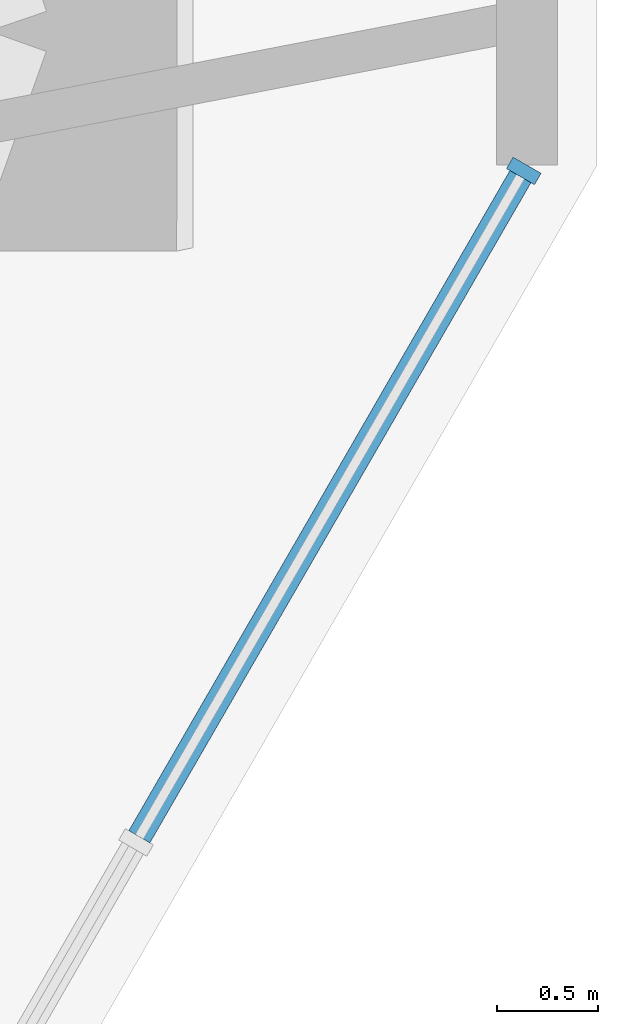
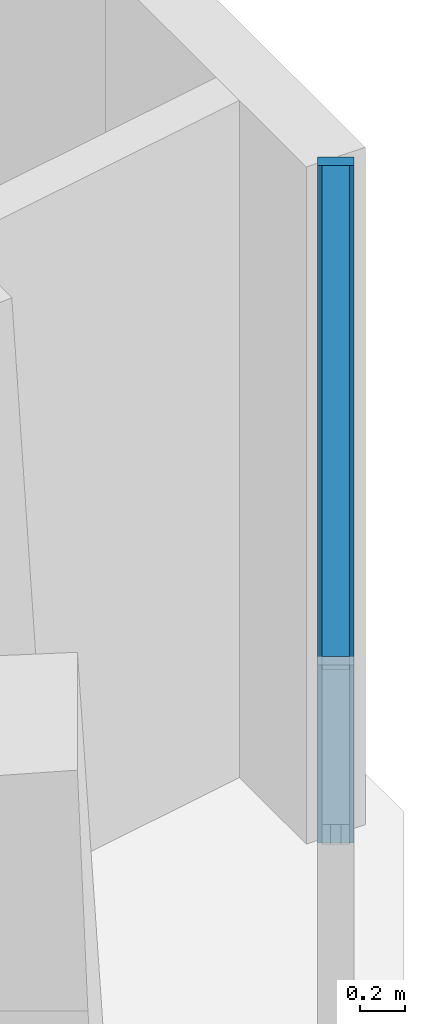
# One storey, part 6 of 17: 2 members, 1 element without a shape of its own.
"""IFC4 building model written with IfcOpenShell, lengths in metres."""

from ifc_helpers import new_model, si_unit, direction, frame, origin, origin_2d, place, context, subcontext, project, spatial, rectangle, extrude, material, material_profile, profile_set, type_object, element, aggregate, save


model = new_model("IFC4")

# Units and contexts
model_context = context("Model", 3, precision=1e-05, world=origin(), true_north=direction((0.0, 1.0)))
body_context = subcontext(model_context, "Body", "Model", "MODEL_VIEW")
ifc_project = project(units=[si_unit("LENGTHUNIT", "METRE"), si_unit("AREAUNIT", "SQUARE_METRE"), si_unit("VOLUMEUNIT", "CUBIC_METRE"), si_unit("PLANEANGLEUNIT", "RADIAN"), si_unit("MASSUNIT", "GRAM", prefix="KILO")], contexts=[model_context])

# Site, building, storey
site_placement = place(None, origin())
site = spatial("IfcSite", under=ifc_project, at=site_placement, CompositionType="ELEMENT")
building_placement = place(site_placement, origin())
building = spatial("IfcBuilding", under=site, at=building_placement, Name="Sandreach Pilgrim Tower", CompositionType="ELEMENT")
storey_placement = place(building_placement, frame((0.0, 0.0, 240.199951171875)))
storey = spatial("IfcBuildingStorey", under=building, at=storey_placement, Name="L60", CompositionType="ELEMENT", Elevation=240.199951171875)

# Curtain wall, members
ifc_material_1 = material(Name="Aluminium framed curtain wall", Category="aluminium")
curtain_wall_type = type_object("IfcCurtainWallType", Name="Upper hotel tower curtain wall", PredefinedType="NOTDEFINED", material=ifc_material_1)
curtain_wall_placement = place(storey_placement, origin())
curtain_wall = element("IfcCurtainWall", 1, at=curtain_wall_placement, inside=storey, type_object=curtain_wall_type, Name="CW-3 L60 SE", PredefinedType="NOTDEFINED")
ifc_material_2 = material(Name="Aluminium extrusion", Category="aluminium")
ifc_material_profile_1 = material_profile(ifc_material_2, rectangle(XDim=0.06494140625, YDim=0.159912109375, at=origin_2d()), Name="CW-3M 65X160")
ifc_profile_set_1 = profile_set([ifc_material_profile_1], Name="Aluminium extrusion")
member_type_1 = type_object("IfcMemberType", Name="CW-3 mullion", PredefinedType="MULLION", material=ifc_profile_set_1)
member_1_placement = place(storey_placement, frame((27.00390625, 4.451904296875, 0.0), z_axis=(0.0, 0.0, 1.0), x_axis=(-0.5, -0.866025403784, 0.0)))
member_1 = element("IfcMember", 2, at=member_1_placement, type_object=member_type_1, Name="CW-3 mullion 1", PredefinedType="MULLION", context=body_context, shape_type="SweptSolid", body=[
    extrude(rectangle(XDim=0.06494140625, YDim=0.159912109375, at=origin_2d()), origin(), (0.0, 0.0, 1.0), 3.64013671875),
])
ifc_material_3 = material(Name="Aluminium extrusion", Category="aluminium")
ifc_material_profile_2 = material_profile(ifc_material_3, rectangle(XDim=0.1201171875, YDim=0.070068359375, at=origin_2d()), Name="CW-3T 120X70")
ifc_profile_set_2 = profile_set([ifc_material_profile_2], Name="Aluminium extrusion")
member_type_2 = type_object("IfcMemberType", Name="CW-3 transom", PredefinedType="USERDEFINED", material=ifc_profile_set_2)
member_2_placement = place(storey_placement, frame((26.987548828125, 4.423828125, 3.60498046875), z_axis=(-0.499944992379, -0.86605716012, 0.0), x_axis=(0.86605716012, -0.499944992379, 0.0)))
member_2 = element("IfcMember", 3, at=member_2_placement, type_object=member_type_2, Name="CW-3 head transom 1", ObjectType="TRANSOM", PredefinedType="USERDEFINED", context=body_context, shape_type="SweptSolid", body=[
    extrude(rectangle(XDim=0.1201171875, YDim=0.070068359375, at=origin_2d()), origin(), (0.0, 0.0, 1.0), 3.76708984375),
])
aggregate(curtain_wall, [member_1, member_2])

save(model, "model.ifc")
